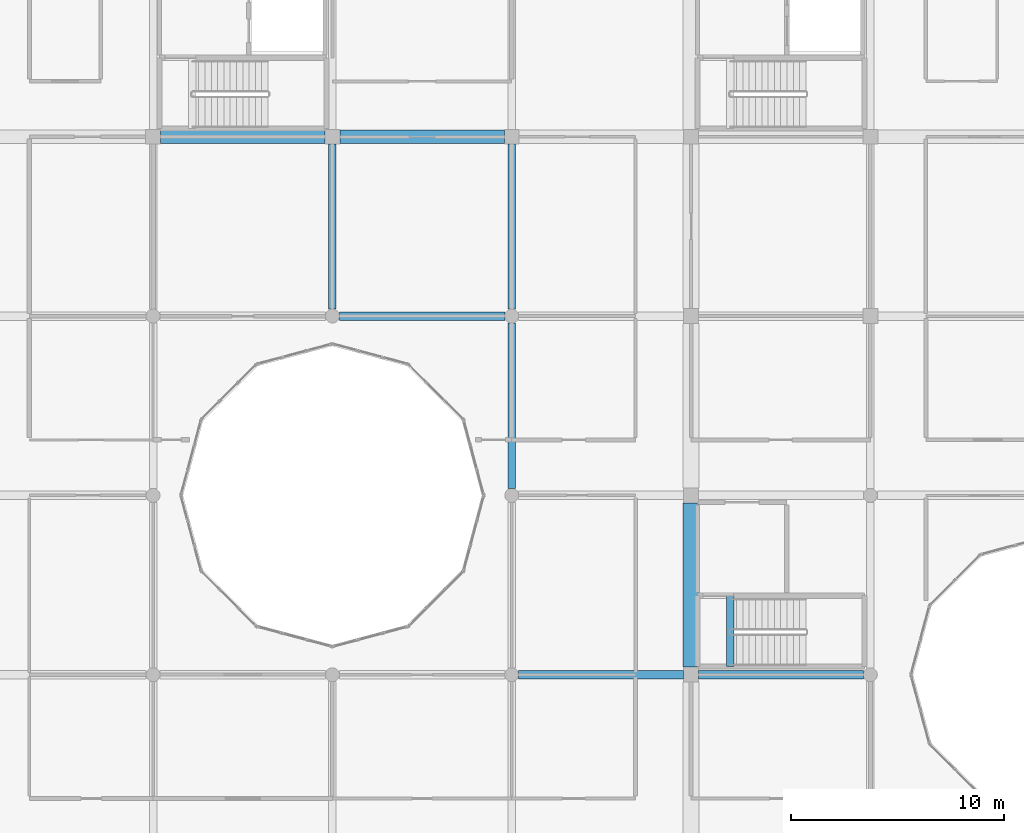
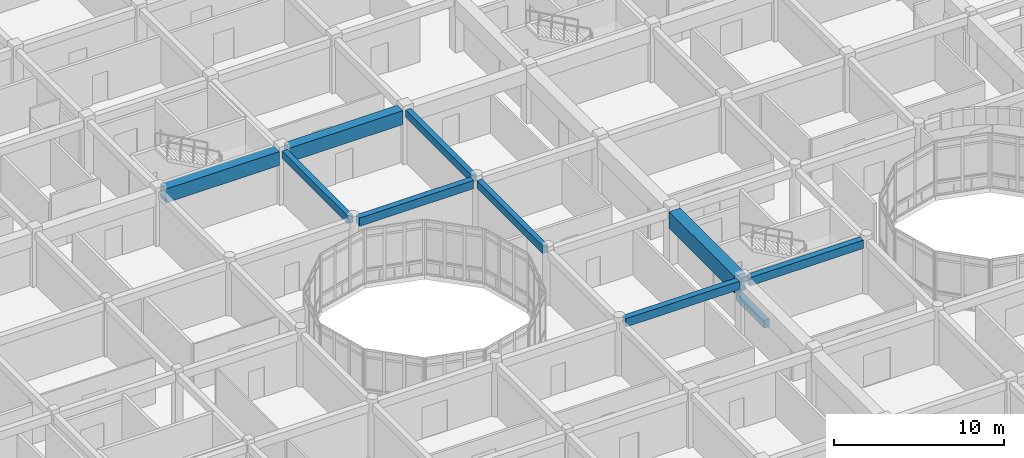
# One storey, part 36 of 119: 10 beams.
"""IFC4 building model written with IfcOpenShell, lengths in metres."""

from ifc_helpers import new_model, si_unit, direction, frame, origin, origin_2d, place, context, subcontext, project, spatial, rectangle, extrude, material, material_profile, profile_set, type_object, element, save


model = new_model("IFC4")

# Units and contexts
model_context = context("Model", 3, precision=1e-05, world=origin(), true_north=direction((0.0, 1.0)))
body_context = subcontext(model_context, "Body", "Model", "MODEL_VIEW")
ifc_project = project(units=[si_unit("LENGTHUNIT", "METRE"), si_unit("AREAUNIT", "SQUARE_METRE"), si_unit("VOLUMEUNIT", "CUBIC_METRE"), si_unit("PLANEANGLEUNIT", "RADIAN"), si_unit("MASSUNIT", "GRAM", prefix="KILO")], contexts=[model_context])

# Site, building, storey
site_placement = place(None, origin())
site = spatial("IfcSite", under=ifc_project, at=site_placement, CompositionType="ELEMENT")
building_placement = place(site_placement, origin())
building = spatial("IfcBuilding", under=site, at=building_placement, Name="Bramfleet General Hospital", CompositionType="ELEMENT")
storey_placement = place(building_placement, frame((0.0, 0.0, 14.39990234375)))
storey = spatial("IfcBuildingStorey", under=building, at=storey_placement, Name="L03", CompositionType="ELEMENT", Elevation=14.39990234375)

# Beams
ifc_material_1 = material(Name="Concrete C35/45", Category="concrete")
ifc_material_profile_1 = material_profile(ifc_material_1, rectangle(XDim=0.35009765625, YDim=0.550048828125, at=origin_2d()), Name="RC BM 550x350")
ifc_profile_set_1 = profile_set([ifc_material_profile_1], Name="Concrete C35/45")
beam_type_1 = type_object("IfcBeamType", Name="BM-RC550", PredefinedType="BEAM", material=ifc_profile_set_1)
beam_1_placement = place(storey_placement, frame((84.0, 84.324951171875, 3.614990234375), z_axis=(0.0, 1.0, 0.0), x_axis=(-1.0, 0.0, 0.0)))
element("IfcBeam", 1, at=beam_1_placement, inside=storey, type_object=beam_type_1, Name="L03 Grid Beam Y 10-10", PredefinedType="BEAM", context=body_context, shape_type="SweptSolid", body=[
    extrude(rectangle(XDim=0.35009765625, YDim=0.550048828125, at=origin_2d()), origin(), (0.0, 0.0, 1.0), 7.72509765625),
])
beam_2_placement = place(storey_placement, frame((92.39990234375, 75.925048828125, 3.614990234375), z_axis=(0.0, 1.0, 0.0), x_axis=(-1.0, 0.0, 0.0)))
element("IfcBeam", 2, at=beam_2_placement, inside=storey, type_object=beam_type_1, Name="L03 Grid Beam Y 11-09", PredefinedType="BEAM", context=body_context, shape_type="SweptSolid", body=[
    extrude(rectangle(XDim=0.35009765625, YDim=0.550048828125, at=origin_2d()), origin(), (0.0, 0.0, 1.0), 7.75),
])
beam_3_placement = place(storey_placement, frame((92.39990234375, 84.324951171875, 3.614990234375), z_axis=(0.0, 1.0, 0.0), x_axis=(-1.0, 0.0, 0.0)))
element("IfcBeam", 3, at=beam_3_placement, inside=storey, type_object=beam_type_1, Name="L03 Grid Beam Y 11-10", PredefinedType="BEAM", context=body_context, shape_type="SweptSolid", body=[
    extrude(rectangle(XDim=0.35009765625, YDim=0.550048828125, at=origin_2d()), origin(), (0.0, 0.0, 1.0), 7.72509765625),
])
beam_4_placement = place(storey_placement, frame((102.639892578125, 67.580078125, -0.27490234375), z_axis=(0.0, 1.0, 0.0), x_axis=(-1.0, 0.0, 0.0)))
element("IfcBeam", 4, at=beam_4_placement, inside=storey, type_object=beam_type_1, Name="L03 C11 Stairwell Trimmer Beam", PredefinedType="BEAM", context=body_context, shape_type="SweptSolid", body=[
    extrude(rectangle(XDim=0.35009765625, YDim=0.550048828125, at=origin_2d()), origin(), (0.0, 0.0, 1.0), 3.31982421875),
])
ifc_material_profile_2 = material_profile(ifc_material_1, rectangle(XDim=0.39990234375, YDim=0.60009765625, at=origin_2d()), Name="RC BM 600x400")
ifc_profile_set_2 = profile_set([ifc_material_profile_2], Name="Concrete C35/45")
beam_type_2 = type_object("IfcBeamType", Name="BM-RC600", PredefinedType="BEAM", material=ifc_profile_set_2)
beam_5_placement = place(storey_placement, frame((84.324951171875, 84.0, 3.590087890625), z_axis=(1.0, 0.0, 0.0), x_axis=(0.0, 1.0, 0.0)))
element("IfcBeam", 5, at=beam_5_placement, inside=storey, type_object=beam_type_2, Name="L03 Grid Beam X 10-10", PredefinedType="BEAM", context=body_context, shape_type="SweptSolid", body=[
    extrude(rectangle(XDim=0.39990234375, YDim=0.60009765625, at=origin_2d()), origin(), (0.0, 0.0, 1.0), 7.75),
])
beam_6_placement = place(storey_placement, frame((92.72509765625, 67.199951171875, 3.60009765625), z_axis=(1.0, 0.0, 0.0), x_axis=(0.0, 1.0, 0.0)))
element("IfcBeam", 6, at=beam_6_placement, inside=storey, type_object=beam_type_2, Name="L03 Grid Beam X 11-08", PredefinedType="BEAM", context=body_context, shape_type="SweptSolid", body=[
    extrude(rectangle(XDim=0.39990234375, YDim=0.60009765625, at=origin_2d()), origin(), (0.0, 0.0, 1.0), 7.724853515625),
])
beam_7_placement = place(storey_placement, frame((101.14990234375, 67.199951171875, 3.60009765625), z_axis=(1.0, 0.0, 0.0), x_axis=(0.0, 1.0, 0.0)))
element("IfcBeam", 7, at=beam_7_placement, inside=storey, type_object=beam_type_2, Name="L03 Grid Beam X 12-08", PredefinedType="BEAM", context=body_context, shape_type="SweptSolid", body=[
    extrude(rectangle(XDim=0.39990234375, YDim=0.60009765625, at=origin_2d()), origin(), (0.0, 0.0, 1.0), 7.72509765625),
])
ifc_material_2 = material(Name="Concrete C40/50", Category="concrete")
ifc_material_profile_3 = material_profile(ifc_material_2, rectangle(XDim=0.64990234375, YDim=1.0, at=origin_2d()), Name="RC TG 1000x650")
ifc_profile_set_3 = profile_set([ifc_material_profile_3], Name="Concrete C40/50")
beam_type_3 = type_object("IfcBeamType", Name="BM-TG1000", PredefinedType="BEAM", material=ifc_profile_set_3)
for number, where, z_axis, x_axis, name in (
    (8, (75.949951171875, 92.39990234375, 3.39013671875), (1.0, 0.0, 0.0), (0.0, 1.0, 0.0), "L03 Transfer Girder X 09-11"),
    (9, (84.35009765625, 92.39990234375, 3.39013671875), (1.0, 0.0, 0.0), (0.0, 1.0, 0.0), "L03 Transfer Girder X 10-11"),
):
    element("IfcBeam", number, at=place(storey_placement, frame(where, z_axis=z_axis, x_axis=x_axis)), inside=storey, type_object=beam_type_3, Name=name, PredefinedType="BEAM", context=body_context, shape_type="SweptSolid", body=[
        extrude(rectangle(XDim=0.64990234375, YDim=1.0, at=origin_2d()), origin(), (0.0, 0.0, 1.0), 7.699951171875),
    ])
ifc_material_profile_4 = material_profile(ifc_material_2, rectangle(XDim=0.75, YDim=1.199951171875, at=origin_2d()), Name="RC TG 1200x750")
ifc_profile_set_4 = profile_set([ifc_material_profile_4], Name="Concrete C40/50")
beam_type_4 = type_object("IfcBeamType", Name="BM-TG1200", PredefinedType="BEAM", material=ifc_profile_set_4)
beam_8_placement = place(storey_placement, frame((100.800048828125, 67.550048828125, 3.300048828125), z_axis=(0.0, 1.0, 0.0), x_axis=(-1.0, 0.0, 0.0)))
element("IfcBeam", 10, at=beam_8_placement, inside=storey, type_object=beam_type_4, Name="L03 Transfer Girder Y 12-08", PredefinedType="BEAM", context=body_context, shape_type="SweptSolid", body=[
    extrude(rectangle(XDim=0.75, YDim=1.199951171875, at=origin_2d()), origin(), (0.0, 0.0, 1.0), 7.699951171875),
])

save(model, "model.ifc")
